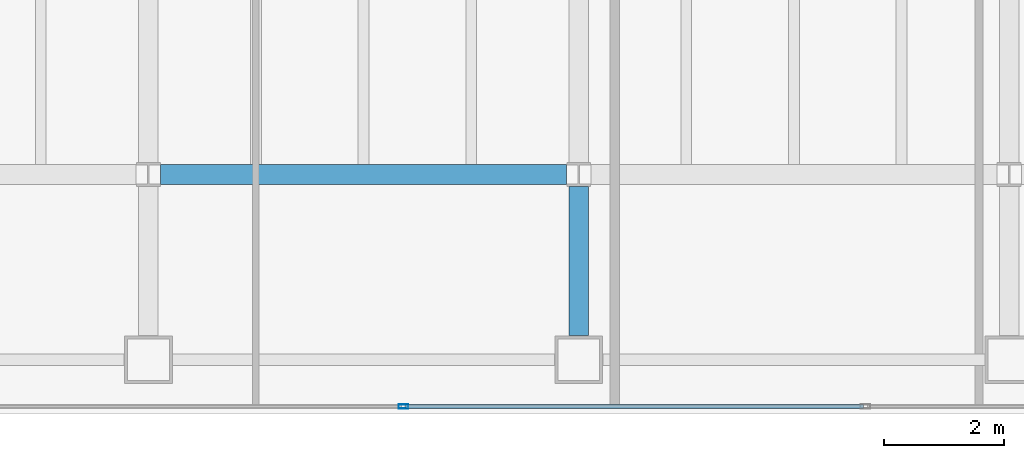
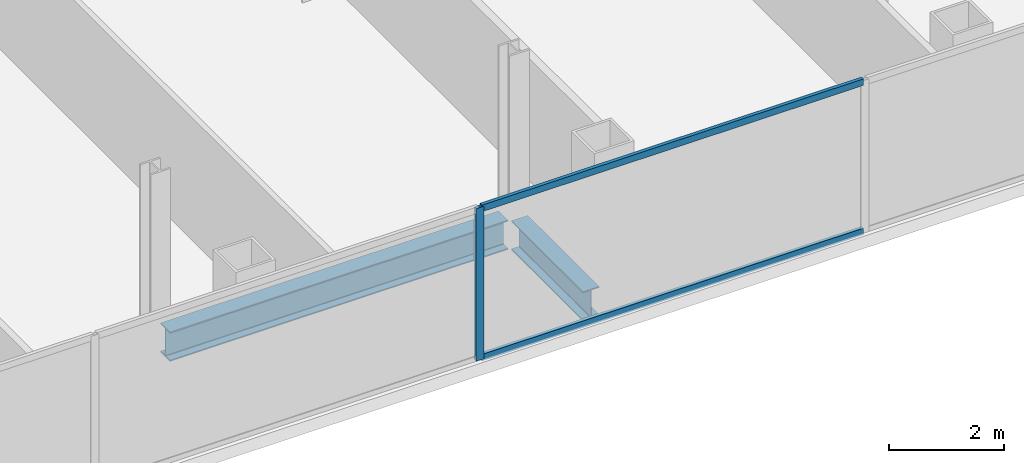
# One storey, part 6 of 23: 3 members, 2 beams, 1 element without a shape of its own.
"""IFC4 building model written with IfcOpenShell, lengths in metres."""

from ifc_helpers import new_model, si_unit, direction, frame, origin, origin_2d, place, context, subcontext, project, spatial, hollow_rectangle, i_section, extrude, material, material_profile, profile_set, type_object, element, aggregate, save


model = new_model("IFC4")

# Units and contexts
model_context = context("Model", 3, precision=1e-05, world=origin(), true_north=direction((0.0, 1.0)))
body_context = subcontext(model_context, "Body", "Model", "MODEL_VIEW")
ifc_project = project(units=[si_unit("LENGTHUNIT", "METRE"), si_unit("AREAUNIT", "SQUARE_METRE"), si_unit("VOLUMEUNIT", "CUBIC_METRE"), si_unit("PLANEANGLEUNIT", "RADIAN"), si_unit("MASSUNIT", "GRAM", prefix="KILO")], contexts=[model_context])

# Site, building, storey
site_placement = place(None, origin())
site = spatial("IfcSite", under=ifc_project, at=site_placement, CompositionType="ELEMENT")
building_placement = place(site_placement, origin())
building = spatial("IfcBuilding", under=site, at=building_placement, Name="Cobrela Telecom Tower", CompositionType="ELEMENT")
storey_placement = place(building_placement, frame((0.0, 0.0, 190.75)))
storey = spatial("IfcBuildingStorey", under=building, at=storey_placement, Name="L48", CompositionType="ELEMENT", Elevation=190.75)

# Beams
ifc_material_1 = material(Name="Steel ASTM A992 Grade 50", Category="steel")
ifc_material_profile_1 = material_profile(ifc_material_1, i_section(OverallWidth=0.327880859375, OverallDepth=0.6220703125, WebThickness=0.015380859375, FlangeThickness=0.0244140625, FilletRadius=0.014892578125, at=origin_2d()), Name="W24X131")
ifc_profile_set_1 = profile_set([ifc_material_profile_1], Name="Steel ASTM A992 Grade 50")
beam_type = type_object("IfcBeamType", Name="BM-GIRD-06", PredefinedType="USERDEFINED", material=ifc_profile_set_1)
beam_1_placement = place(storey_placement, frame((21.804443359375, 7.199951171875, -0.571044921875), z_axis=(1.0, 0.0, 0.0), x_axis=(0.0, 1.0, 0.0)))
element("IfcBeam", 1, at=beam_1_placement, inside=storey, type_object=beam_type, Name="L48 Primary Girder X08", ObjectType="GIRDER", PredefinedType="USERDEFINED", context=body_context, shape_type="SweptSolid", body=[
    extrude(i_section(OverallWidth=0.327880859375, OverallDepth=0.6220703125, WebThickness=0.015380859375, FlangeThickness=0.0244140625, FilletRadius=0.014892578125, at=origin_2d()), origin(), (0.0, 0.0, 1.0), 6.791015625),
])
beam_2_placement = place(storey_placement, frame((28.800048828125, 4.5048828125, -0.571044921875), z_axis=(0.0, 1.0, 0.0), x_axis=(-1.0, 0.0, 0.0)))
element("IfcBeam", 2, at=beam_2_placement, inside=storey, type_object=beam_type, Name="L48 Primary Girder Y36", ObjectType="GIRDER", PredefinedType="USERDEFINED", context=body_context, shape_type="SweptSolid", body=[
    extrude(i_section(OverallWidth=0.327880859375, OverallDepth=0.6220703125, WebThickness=0.015380859375, FlangeThickness=0.0244140625, FilletRadius=0.014892578125, at=origin_2d()), origin(), (0.0, 0.0, 1.0), 2.49072265625),
])

# Curtain wall, members
ifc_material_2 = material(Name="Anodized Bronze Aluminium 6063-T6", Category="aluminium")
curtain_wall_type = type_object("IfcCurtainWallType", Name="CW-SYS-OFF-LO", PredefinedType="USERDEFINED", material=ifc_material_2)
curtain_wall_placement = place(storey_placement, origin())
curtain_wall = element("IfcCurtainWall", 3, at=curtain_wall_placement, inside=storey, type_object=curtain_wall_type, Name="L48 Unitised Bronze Curtain Wall 17", ObjectType="UNITISED CURTAIN WALL", PredefinedType="USERDEFINED")
ifc_material_profile_2 = material_profile(ifc_material_2, hollow_rectangle(XDim=0.070068359375, YDim=0.159912109375, WallThickness=0.00390625, at=origin_2d()), Name="ALU 70x160x4")
ifc_profile_set_2 = profile_set([ifc_material_profile_2], Name="Anodized Bronze Aluminium 6063-T6")
member_type_1 = type_object("IfcMemberType", Name="CW-SYS-OFF-LO-MUL", PredefinedType="MULLION", material=ifc_profile_set_2)
member_1_placement = place(storey_placement, frame((25.865966796875, 3.320068359375, 0.0), z_axis=(0.0, 0.0, 1.0), x_axis=(0.0, -1.0, 0.0)))
member_1 = element("IfcMember", 4, at=member_1_placement, type_object=member_type_1, Name="CW-OFF-LO mullion 3", PredefinedType="MULLION", context=body_context, shape_type="SweptSolid", body=[
    extrude(hollow_rectangle(XDim=0.070068359375, YDim=0.159912109375, WallThickness=0.00390625, at=origin_2d()), origin(), (0.0, 0.0, 1.0), 3.239990234375),
])
ifc_material_profile_3 = material_profile(ifc_material_2, hollow_rectangle(XDim=0.070068359375, YDim=0.139892578125, WallThickness=0.00390625, at=origin_2d()), Name="ALU 70x140x4")
ifc_profile_set_3 = profile_set([ifc_material_profile_3], Name="Anodized Bronze Aluminium 6063-T6")
member_type_2 = type_object("IfcMemberType", Name="CW-SYS-OFF-LO-TRN", PredefinedType="USERDEFINED", material=ifc_profile_set_3)
member_2_placement = place(storey_placement, frame((33.56298828125, 3.320068359375, 0.034912109375), z_axis=(-1.0, 0.0, 0.0), x_axis=(0.0, -1.0, 0.0)))
member_2 = element("IfcMember", 5, at=member_2_placement, type_object=member_type_2, Name="CW-OFF-LO transom 2.1", ObjectType="TRANSOM", PredefinedType="USERDEFINED", context=body_context, shape_type="SweptSolid", body=[
    extrude(hollow_rectangle(XDim=0.070068359375, YDim=0.139892578125, WallThickness=0.00390625, at=origin_2d()), origin(), (0.0, 0.0, 1.0), 7.662109375),
])
member_3_placement = place(storey_placement, frame((33.56298828125, 3.320068359375, 3.205078125), z_axis=(-1.0, 0.0, 0.0), x_axis=(0.0, -1.0, 0.0)))
member_3 = element("IfcMember", 6, at=member_3_placement, type_object=member_type_2, Name="CW-OFF-LO transom 2.2", ObjectType="TRANSOM", PredefinedType="USERDEFINED", context=body_context, shape_type="SweptSolid", body=[
    extrude(hollow_rectangle(XDim=0.070068359375, YDim=0.139892578125, WallThickness=0.00390625, at=origin_2d()), origin(), (0.0, 0.0, 1.0), 7.662109375),
])
aggregate(curtain_wall, [member_1, member_2, member_3])

save(model, "model.ifc")
